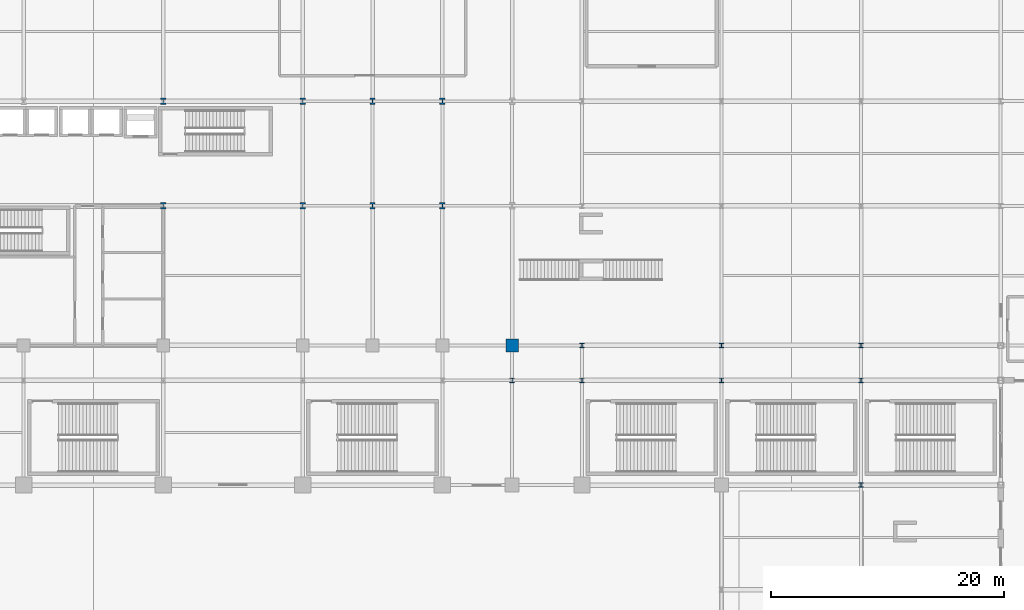
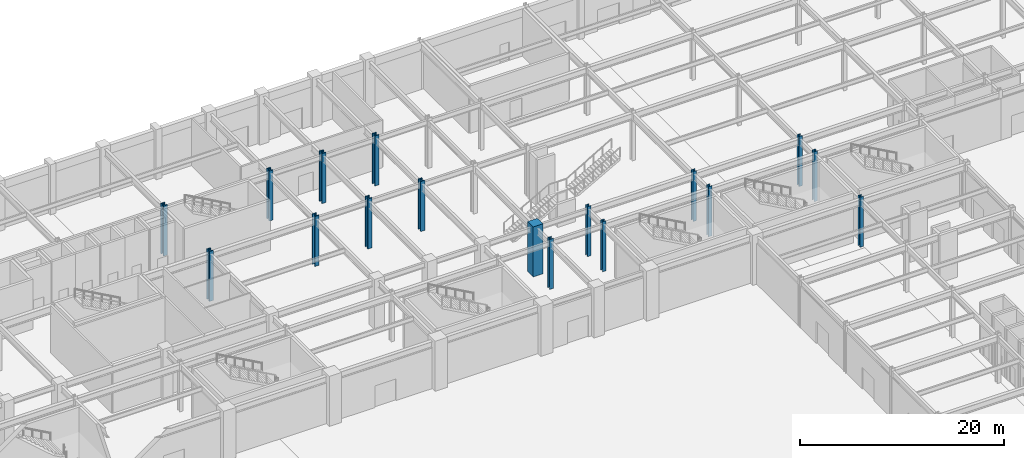
# One storey, part 9 of 44: 17 columns.
"""IFC4 building model written with IfcOpenShell, lengths in metres."""

from ifc_helpers import new_model, si_unit, direction, frame, origin, origin_2d, place, context, subcontext, project, spatial, rectangle, i_section, extrude, material, material_profile, profile_set, type_object, element, save


model = new_model("IFC4")

# Units and contexts
model_context = context("Model", 3, precision=1e-05, world=origin(), true_north=direction((0.0, 1.0)))
body_context = subcontext(model_context, "Body", "Model", "MODEL_VIEW")
ifc_project = project(units=[si_unit("LENGTHUNIT", "METRE"), si_unit("AREAUNIT", "SQUARE_METRE"), si_unit("VOLUMEUNIT", "CUBIC_METRE"), si_unit("PLANEANGLEUNIT", "RADIAN"), si_unit("MASSUNIT", "GRAM", prefix="KILO")], contexts=[model_context])

# Site, building, storey
site_placement = place(None, origin())
site = spatial("IfcSite", under=ifc_project, at=site_placement, CompositionType="ELEMENT")
building_placement = place(site_placement, origin())
building = spatial("IfcBuilding", under=site, at=building_placement, Name="Kaldorvane Square Convention Centre", CompositionType="ELEMENT")
storey_placement = place(building_placement, origin())
storey = spatial("IfcBuildingStorey", under=building, at=storey_placement, Name="L00", CompositionType="ELEMENT", Elevation=0.0)

# Columns
ifc_material_1 = material(Name="Concrete f'c = 55 MPa (Normalweight)", Category="concrete")
ifc_material_profile_1 = material_profile(ifc_material_1, rectangle(XDim=1.100006103515625, YDim=1.100006103515625, at=origin_2d()), Name="RC1100X1100")
ifc_profile_set_1 = profile_set([ifc_material_profile_1], Name="Concrete f'c = 55 MPa (Normalweight)")
column_type_1 = type_object("IfcColumnType", Name="COL-RC-1100", PredefinedType="COLUMN", material=ifc_profile_set_1)
column_placement = place(storey_placement, frame((96.0, 84.0, 0.0), z_axis=(0.0, 0.0, 1.0), x_axis=(1.0, 0.0, 0.0)))
element("IfcColumn", 1, at=column_placement, inside=storey, type_object=column_type_1, Name="Column CC-01 (L00)", PredefinedType="COLUMN", context=body_context, shape_type="SweptSolid", body=[
    extrude(rectangle(XDim=1.100006103515625, YDim=1.100006103515625, at=origin_2d()), origin(), (0.0, 0.0, 1.0), 6.0),
])
ifc_material_2 = material(Name="Steel ASTM A992 Gr. 50", Category="steel")
ifc_material_profile_2 = material_profile(ifc_material_2, i_section(OverallWidth=0.40130615234375, OverallDepth=0.3993072509765625, WebThickness=0.02490234375, FlangeThickness=0.0395965576171875, FilletRadius=0.0305023193359375, at=origin_2d()), Name="W14X211")
ifc_profile_set_2 = profile_set([ifc_material_profile_2], Name="Steel ASTM A992 Gr. 50")
column_type_2 = type_object("IfcColumnType", Name="COL-STL-211", PredefinedType="COLUMN", material=ifc_profile_set_2)
for number, where, z_axis, x_axis, name in (
    (2, (96.0, 81.0, 0.0), (0.0, 0.0, 1.0), (1.0, 0.0, 0.0), "Column SC-08 (L00)"),
    (3, (102.0, 81.0, 0.0), (0.0, 0.0, 1.0), (1.0, 0.0, 0.0), "Column SC-08 (L00)"),
    (4, (102.0, 84.0, 0.0), (0.0, 0.0, 1.0), (1.0, 0.0, 0.0), "Column SC-08 (L00)"),
    (5, (114.0, 81.0, 0.0), (0.0, 0.0, 1.0), (1.0, 0.0, 0.0), "Column SC-08 (L00)"),
    (6, (114.0, 84.0, 0.0), (0.0, 0.0, 1.0), (1.0, 0.0, 0.0), "Column SC-08 (L00)"),
    (7, (126.0, 72.0, 0.0), (0.0, 0.0, 1.0), (1.0, 0.0, 0.0), "Column SC-08 (L00)"),
    (8, (126.0, 81.0, 0.0), (0.0, 0.0, 1.0), (1.0, 0.0, 0.0), "Column SC-08 (L00)"),
    (9, (126.0, 84.0, 0.0), (0.0, 0.0, 1.0), (1.0, 0.0, 0.0), "Column SC-08 (L00)"),
):
    element("IfcColumn", number, at=place(storey_placement, frame(where, z_axis=z_axis, x_axis=x_axis)), inside=storey, type_object=column_type_2, Name=name, PredefinedType="COLUMN", context=body_context, shape_type="SweptSolid", body=[
        extrude(i_section(OverallWidth=0.40130615234375, OverallDepth=0.3993072509765625, WebThickness=0.02490234375, FlangeThickness=0.0395965576171875, FilletRadius=0.0305023193359375, at=origin_2d()), origin(), (0.0, 0.0, 1.0), 6.0),
    ])
ifc_material_profile_3 = material_profile(ifc_material_2, i_section(OverallWidth=0.45440673828125, OverallDepth=0.569000244140625, WebThickness=0.0780029296875, FlangeThickness=0.12469482421875, FilletRadius=0.0305023193359375, at=origin_2d()), Name="W14X730")
ifc_profile_set_3 = profile_set([ifc_material_profile_3], Name="Steel ASTM A992 Gr. 50")
column_type_3 = type_object("IfcColumnType", Name="COL-STL-730", PredefinedType="COLUMN", material=ifc_profile_set_3)
for number, where, z_axis, x_axis, name in (
    (10, (66.0, 96.0, 0.0), (0.0, 0.0, 1.0), (1.0, 0.0, 0.0), "Column SC-01 (L00)"),
    (11, (66.0, 105.0, 0.0), (0.0, 0.0, 1.0), (1.0, 0.0, 0.0), "Column SC-01 (L00)"),
    (12, (78.0, 96.0, 0.0), (0.0, 0.0, 1.0), (1.0, 0.0, 0.0), "Column SC-01 (L00)"),
    (13, (78.0, 105.0, 0.0), (0.0, 0.0, 1.0), (1.0, 0.0, 0.0), "Column SC-01 (L00)"),
    (14, (84.0, 96.0, 0.0), (0.0, 0.0, 1.0), (1.0, 0.0, 0.0), "Column SC-01 (L00)"),
    (15, (84.0, 105.0, 0.0), (0.0, 0.0, 1.0), (1.0, 0.0, 0.0), "Column SC-01 (L00)"),
    (16, (90.0, 96.0, 0.0), (0.0, 0.0, 1.0), (1.0, 0.0, 0.0), "Column SC-01 (L00)"),
    (17, (90.0, 105.0, 0.0), (0.0, 0.0, 1.0), (1.0, 0.0, 0.0), "Column SC-01 (L00)"),
):
    element("IfcColumn", number, at=place(storey_placement, frame(where, z_axis=z_axis, x_axis=x_axis)), inside=storey, type_object=column_type_3, Name=name, PredefinedType="COLUMN", context=body_context, shape_type="SweptSolid", body=[
        extrude(i_section(OverallWidth=0.45440673828125, OverallDepth=0.569000244140625, WebThickness=0.0780029296875, FlangeThickness=0.12469482421875, FilletRadius=0.0305023193359375, at=origin_2d()), origin(), (0.0, 0.0, 1.0), 6.0),
    ])

save(model, "model.ifc")
